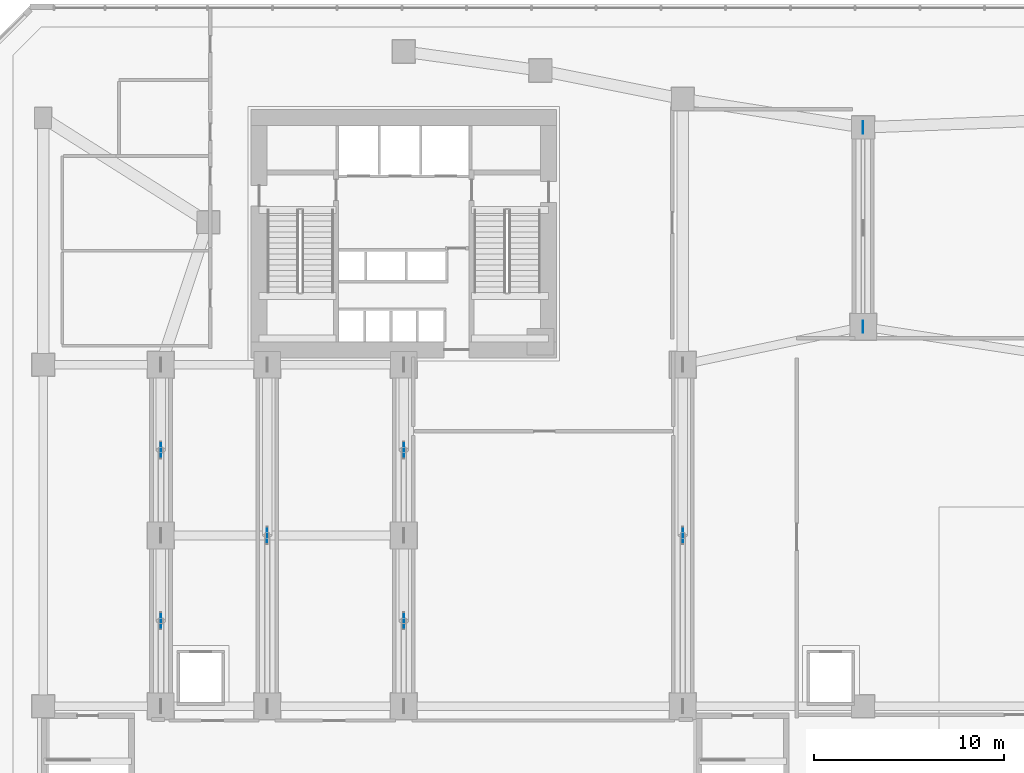
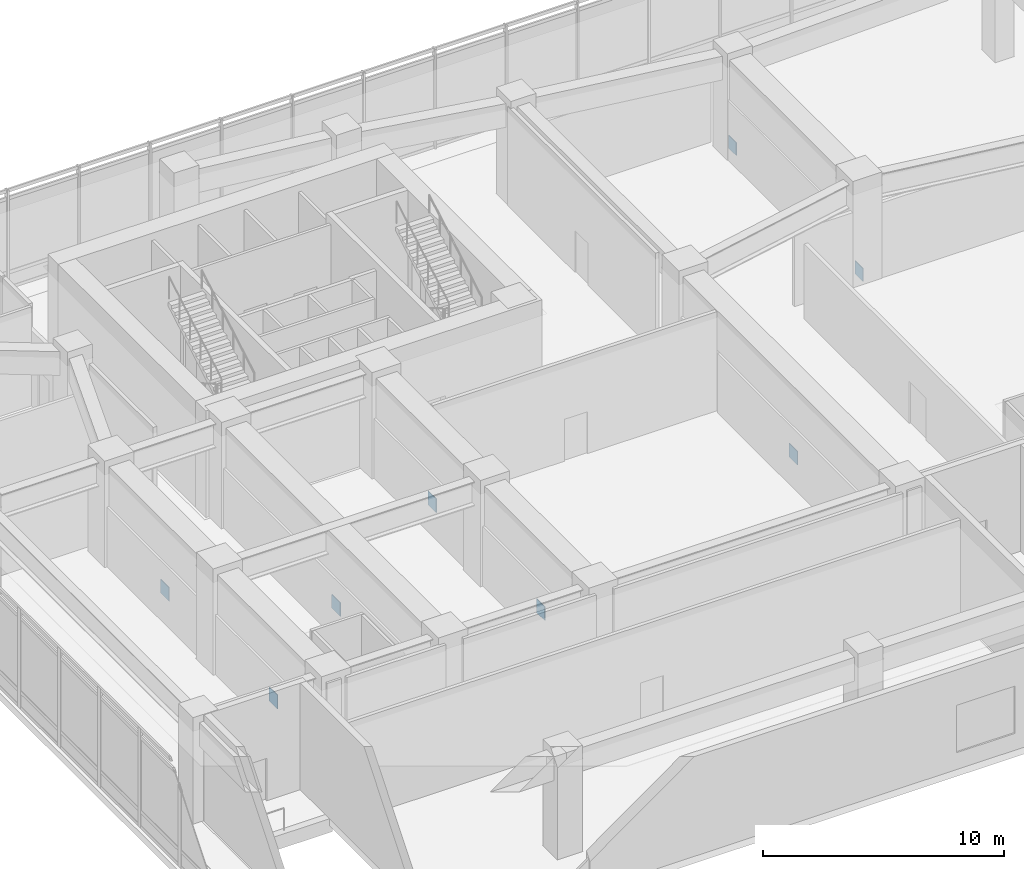
# One storey, part 15 of 21: 8 plates.
"""IFC4 building model written with IfcOpenShell, lengths in metres."""

import ifcopenshell
import ifcopenshell.guid

model = None  # the IFC model being written
_history = None  # IfcOwnerHistory: only IFC2X3 demands one
_inside = {}  # id of a spatial element -> (the spatial element, [elements in it])
_under = {}  # id of a project, library or spatial element -> (it, [spatial elements below it])
_declared = {}  # id of a project -> (the project, [libraries it declares])
_typed = {}  # id of a type object -> (the type object, [elements of that type])
_made_of = {}  # id of a material, layer set ... -> (it, [elements and type objects made of it])


def new_model(schema):
    """Start an empty IFC model of exactly this schema.

    Asked for "IFC4X3", IfcOpenShell would pick the latest addendum, in which some entities
    have other attributes; the version numbers below select the first issue.
    IFC2X3 requires an IfcOwnerHistory on every rooted entity: one is made here for all.
    """
    global model, _history
    if schema == "IFC4X3":
        model = ifcopenshell.file(schema_version=(4, 3, 0, 0))
    else:
        model = ifcopenshell.file(schema=schema)
    _inside.clear()
    _under.clear()
    _declared.clear()
    _typed.clear()
    _made_of.clear()
    _history = None
    if model.schema == "IFC2X3":
        org = make("IfcOrganization", Name="unknown")
        user = make(
            "IfcPersonAndOrganization",
            ThePerson=make("IfcPerson", FamilyName="unknown"),
            TheOrganization=org,
        )
        app = make(
            "IfcApplication",
            ApplicationDeveloper=org,
            Version="unknown",
            ApplicationFullName="unknown",
            ApplicationIdentifier="unknown",
        )
        _history = make(
            "IfcOwnerHistory",
            OwningUser=user,
            OwningApplication=app,
            ChangeAction="ADDED",
            CreationDate=0,
        )
    return model


def make(cls, **values):
    """One entity of the class cls with the attributes given. An attribute that is None is left unset."""
    return model.create_entity(
        cls, **{name: value for name, value in values.items() if value is not None}
    )


def rooted(cls, **values):
    """An entity with a GlobalId (a new one), such as an element, a storey or a relation."""
    return make(cls, GlobalId=ifcopenshell.guid.new(), OwnerHistory=_history, **values)


def si_unit(unit_type, name, prefix=None):
    """IfcSIUnit, for example si_unit("LENGTHUNIT", "METRE", prefix="MILLI")."""
    return make("IfcSIUnit", UnitType=unit_type, Prefix=prefix, Name=name)


def assignment(units):
    """IfcUnitAssignment: the units of a project."""
    return None if units is None else make("IfcUnitAssignment", Units=units)


def point(xyz):
    """IfcCartesianPoint."""
    return None if xyz is None else make("IfcCartesianPoint", Coordinates=xyz)


def direction(xyz):
    """IfcDirection."""
    return None if xyz is None else make("IfcDirection", DirectionRatios=xyz)


def frame(location, z_axis=None, x_axis=None):
    """IfcAxis2Placement3D, a coordinate frame: its origin and axes. An axis left out is left unset."""
    return make(
        "IfcAxis2Placement3D",
        Location=point(location),
        Axis=direction(z_axis),
        RefDirection=direction(x_axis),
    )


def frame_2d(location, x_axis=None):
    """IfcAxis2Placement2D, a coordinate frame in the plane: its origin and x axis."""
    return make(
        "IfcAxis2Placement2D", Location=point(location), RefDirection=direction(x_axis)
    )


def origin():
    """The frame at (0, 0, 0) with its axes left unset."""
    return frame((0.0, 0.0, 0.0))


def origin_2d():
    """The frame at (0, 0) in the plane with its x axis left unset."""
    return frame_2d((0.0, 0.0))


def place(relative_to, where):
    """IfcLocalPlacement: puts the frame where relative to a parent placement (None: the world)."""
    return make(
        "IfcLocalPlacement", PlacementRelTo=relative_to, RelativePlacement=where
    )


def context(
    kind, dimensions, precision=None, world=None, true_north=None, identifier=None
):
    """IfcGeometricRepresentationContext, for example the 3D "Model" context."""
    return make(
        "IfcGeometricRepresentationContext",
        ContextIdentifier=identifier,
        ContextType=kind,
        CoordinateSpaceDimension=dimensions,
        Precision=precision,
        WorldCoordinateSystem=world,
        TrueNorth=true_north,
    )


def subcontext(parent, identifier, kind, view, scale=None):
    """IfcGeometricRepresentationSubContext, for example "Body" below "Model"."""
    return make(
        "IfcGeometricRepresentationSubContext",
        ContextIdentifier=identifier,
        ContextType=kind,
        ParentContext=parent,
        TargetScale=scale,
        TargetView=view,
    )


def project(units=None, contexts=None):
    """IfcProject with its units and contexts."""
    return rooted(
        "IfcProject",
        Name="project",
        RepresentationContexts=contexts,
        UnitsInContext=assignment(units),
    )


def spatial(cls, under=None, at=None, **own):
    """A site, building, storey or space (cls), placed at a placement, below another one or the project."""
    s = rooted(cls, ObjectPlacement=at, **own)
    if under is not None:
        _under.setdefault(under.id(), (under, []))[1].append(s)
    return s


def profile(cls, at=None, kind="AREA", **sizes):
    """A parametric profile (cls). Its sizes go by their IFC names, for example OverallWidth=200.0."""
    return make(cls, ProfileType=kind, Position=at, **sizes)


def rectangle(**sizes):
    """IfcRectangleProfileDef."""
    return profile("IfcRectangleProfileDef", **sizes)


def extrude(swept, where, along, depth):
    """IfcExtrudedAreaSolid: the profile swept, set in the frame where, extruded along a direction by depth."""
    return make(
        "IfcExtrudedAreaSolid",
        SweptArea=swept,
        Position=where,
        ExtrudedDirection=direction(along),
        Depth=depth,
    )


def shape(context_of_items, identifier, shape_type, items):
    """IfcShapeRepresentation: the items that make up one representation, for example the "Body"."""
    return make(
        "IfcShapeRepresentation",
        ContextOfItems=context_of_items,
        RepresentationIdentifier=identifier,
        RepresentationType=shape_type,
        Items=items,
    )


def source(mapping_origin, context_of_items, identifier, shape_type, items):
    """IfcRepresentationMap: a shape defined once, which mapped items show again and again."""
    return make(
        "IfcRepresentationMap",
        MappingOrigin=mapping_origin,
        MappedRepresentation=shape(context_of_items, identifier, shape_type, items),
    )


def transform(
    local_origin,
    x_axis=None,
    y_axis=None,
    z_axis=None,
    scale=None,
    scale2=None,
    scale3=None,
    uniform=True,
):
    """IfcCartesianTransformationOperator3D, or its non-uniform kind. x_axis, y_axis, z_axis: its Axis1, 2, 3."""
    if uniform:
        return make(
            "IfcCartesianTransformationOperator3D",
            Axis1=direction(x_axis),
            Axis2=direction(y_axis),
            LocalOrigin=point(local_origin),
            Scale=scale,
            Axis3=direction(z_axis),
        )
    return make(
        "IfcCartesianTransformationOperator3DnonUniform",
        Axis1=direction(x_axis),
        Axis2=direction(y_axis),
        LocalOrigin=point(local_origin),
        Scale=scale,
        Axis3=direction(z_axis),
        Scale2=scale2,
        Scale3=scale3,
    )


def mapped(mapping_source, mapping_target):
    """IfcMappedItem: shows the shape of a source again, moved by a transform."""
    return make(
        "IfcMappedItem", MappingSource=mapping_source, MappingTarget=mapping_target
    )


def material(Name=None, Category=None):
    """IfcMaterial."""
    return make("IfcMaterial", Name=Name, Category=Category)


def layer(
    of_material, thickness, ventilated=None, Name=None, Category=None, Priority=None
):
    """IfcMaterialLayer: one layer of a wall or slab, of a material (None: an air gap)."""
    return make(
        "IfcMaterialLayer",
        Material=of_material,
        LayerThickness=thickness,
        IsVentilated=ventilated,
        Name=Name,
        Category=Category,
        Priority=Priority,
    )


def layer_set(layers, Name=None):
    """IfcMaterialLayerSet."""
    return make("IfcMaterialLayerSet", MaterialLayers=layers, LayerSetName=Name)


def made_of(thing, what):
    """Note that an element or type object is made of a material, layer set ...; save() writes the relation."""
    if what is not None:
        _made_of.setdefault(what.id(), (what, []))[1].append(thing)
    return thing


def type_object(cls, material=None, **own):
    """A type object (cls), such as IfcWallType, which elements share."""
    return made_of(rooted(cls, **own), material)


def element(
    cls,
    number,
    at=None,
    inside=None,
    cuts=None,
    type_object=None,
    material=None,
    context=None,
    identifier="Body",
    shape_type=None,
    held_by="IfcProductDefinitionShape",
    body=None,
    shapes=None,
    **own,
):
    """One element of the class cls, such as IfcWall. Its Tag is "e" and its number.

    at: its placement. inside: the storey or other place that contains it. cuts: it is an
    opening in that element (IfcRelVoidsElement). A single representation is given by context,
    identifier, shape_type and body (its items); several are given by shapes. held_by: the class
    of the entity that holds the representations. save() writes the other relations.
    """
    e = rooted(cls, Tag="e%d" % number, ObjectPlacement=at, **own)
    if body is not None:
        shapes = [shape(context, identifier, shape_type, body)]
    if shapes is not None:
        e.Representation = make(held_by, Representations=shapes)
    if inside is not None:
        _inside.setdefault(inside.id(), (inside, []))[1].append(e)
    if cuts is not None:
        rooted(
            "IfcRelVoidsElement", RelatingBuildingElement=cuts, RelatedOpeningElement=e
        )
    if type_object is not None:
        _typed.setdefault(type_object.id(), (type_object, []))[1].append(e)
    return made_of(e, material)


def aggregate(whole, parts):
    """IfcRelAggregates: a whole, such as a stair, and the parts it consists of."""
    return rooted("IfcRelAggregates", RelatingObject=whole, RelatedObjects=parts)


def save(model, path):
    """Write the relations noted so far, then the file.

    IfcRelAggregates (storeys below a building ...), IfcRelContainedInSpatialStructure (elements
    in a storey), IfcRelDefinesByType, IfcRelAssociatesMaterial and IfcRelDeclares: one each for
    every whole, place, type object, material and project.
    """
    for whole, parts in _under.values():
        aggregate(whole, parts)
    for where, things in _inside.values():
        rooted(
            "IfcRelContainedInSpatialStructure",
            RelatedElements=things,
            RelatingStructure=where,
        )
    for kind, things in _typed.values():
        rooted("IfcRelDefinesByType", RelatedObjects=things, RelatingType=kind)
    for what, things in _made_of.values():
        rooted("IfcRelAssociatesMaterial", RelatedObjects=things, RelatingMaterial=what)
    for by, libraries in _declared.values():
        rooted("IfcRelDeclares", RelatingContext=by, RelatedDefinitions=libraries)
    model.write(path)


model = new_model("IFC4")

# Units and contexts
model_context = context("Model", 3, precision=1e-05, world=origin(), true_north=direction((0.0, 1.0)))
body_context = subcontext(model_context, "Body", "Model", "MODEL_VIEW")
ifc_project = project(units=[si_unit("LENGTHUNIT", "METRE"), si_unit("AREAUNIT", "SQUARE_METRE"), si_unit("VOLUMEUNIT", "CUBIC_METRE"), si_unit("PLANEANGLEUNIT", "RADIAN"), si_unit("MASSUNIT", "GRAM", prefix="KILO")], contexts=[model_context])

# Site, building, storey
site_placement = place(None, origin())
site = spatial("IfcSite", under=ifc_project, at=site_placement, CompositionType="ELEMENT")
building_placement = place(site_placement, origin())
building = spatial("IfcBuilding", under=site, at=building_placement, Name="Calvemar Wedge Station Tower", CompositionType="ELEMENT")
storey_placement = place(building_placement, frame((0.0, 0.0, 21.60009765625)))
storey = spatial("IfcBuildingStorey", under=building, at=storey_placement, Name="L05", CompositionType="ELEMENT", Elevation=21.60009765625)

# Plates
ifc_material = material(Name="Structural steel ASTM A572 Grade 50", Category="steel")
ifc_layer = layer(ifc_material, 0.031982421875)
ifc_layer_set = layer_set([ifc_layer], Name="Structural steel ASTM A572 Grade 50")
plate_type = type_object("IfcPlateType", Name="PL-NP-32", PredefinedType="USERDEFINED", material=ifc_layer_set)
shared_shape_1 = source(origin(), body_context, "Body", "SweptSolid", [
    extrude(rectangle(XDim=0.699951171875, YDim=0.031982421875, at=origin_2d()), origin(), (0.0, 0.0, 1.0), 0.699951171875),
])
for number, where, z_axis, x_axis, name in (
    (1, (11.0, 19.5, 0.5810546875), (0.0, 0.0, 1.0), (0.0, 1.0, 0.0), "Warren Truss TR1 Mid Chord Gusset Plate 1"),
    (2, (11.0, 28.5, 0.5810546875), (0.0, 0.0, 1.0), (0.0, 1.0, 0.0), "Warren Truss TR1 Mid Chord Gusset Plate 2"),
    (3, (16.60009765625, 24.0, 0.5810546875), (0.0, 0.0, 1.0), (0.0, 1.0, 0.0), "Warren Truss TR2 Mid Chord Gusset Plate 1"),
    (4, (23.800048828125, 19.5, 0.5810546875), (0.0, 0.0, 1.0), (0.0, 1.0, 0.0), "Warren Truss TR3 Mid Chord Gusset Plate 1"),
    (5, (23.800048828125, 28.5, 0.5810546875), (0.0, 0.0, 1.0), (0.0, 1.0, 0.0), "Warren Truss TR3 Mid Chord Gusset Plate 2"),
    (6, (38.5, 24.0, 0.5810546875), (0.0, 0.0, 1.0), (0.0, 1.0, 0.0), "Warren Truss TR4 Mid Chord Gusset Plate 1"),
):
    element("IfcPlate", number, at=place(storey_placement, frame(where, z_axis=z_axis, x_axis=x_axis)), inside=storey, type_object=plate_type, Name=name, ObjectType="GUSSET PLATE", PredefinedType="USERDEFINED", context=body_context, shape_type="MappedRepresentation", body=[
        mapped(shared_shape_1, transform((0.0, 0.0, 0.0), scale=1.0)),
    ])
shared_shape_2 = source(origin(), body_context, "Body", "SweptSolid", [
    extrude(rectangle(XDim=0.64990234375, YDim=0.031982421875, at=origin_2d()), origin(), (0.0, 0.0, 1.0), 0.64990234375),
])
for number, where, z_axis, x_axis, name in (
    (7, (48.0, 35.0, -0.125), (0.0, 0.0, 1.0), (0.0, 1.0, 0.0), "L05 Transfer Strut 1 Base Gusset Plate"),
    (8, (48.0, 45.5, -0.125), (0.0, 0.0, 1.0), (0.0, 1.0, 0.0), "L05 Transfer Strut 2 Base Gusset Plate"),
):
    element("IfcPlate", number, at=place(storey_placement, frame(where, z_axis=z_axis, x_axis=x_axis)), inside=storey, type_object=plate_type, Name=name, ObjectType="GUSSET PLATE", PredefinedType="USERDEFINED", context=body_context, shape_type="MappedRepresentation", body=[
        mapped(shared_shape_2, transform((0.0, 0.0, 0.0), scale=1.0)),
    ])

save(model, "model.ifc")
